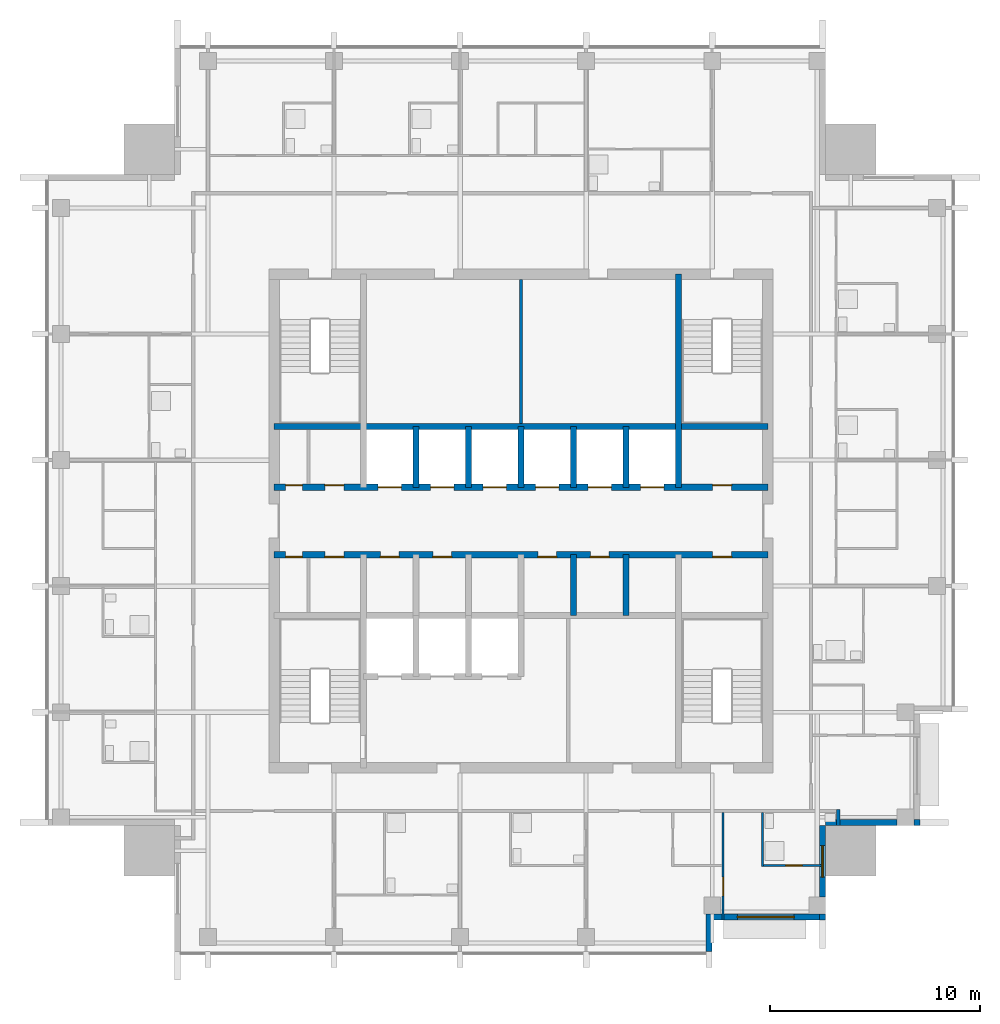
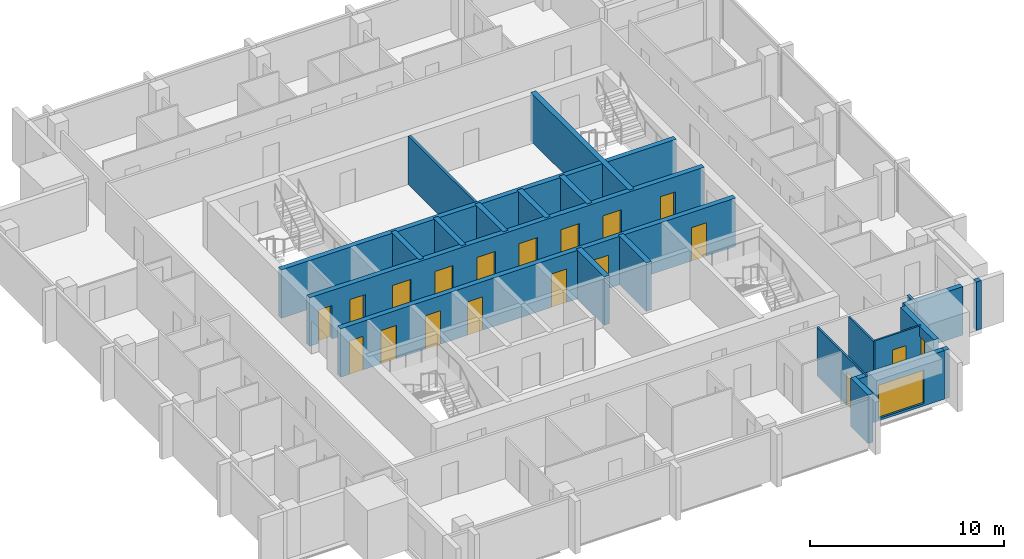
# One storey, part 5 of 10: 22 walls, 18 doors, 2 windows, 20 openings.
"""IFC4 building model written with IfcOpenShell, lengths in metres."""

from ifc_helpers import new_model, si_unit, direction, frame, frame_2d, origin, place, context, subcontext, project, spatial, rectangle, extrude, material, layer, layer_set, type_object, element, fill, save


model = new_model("IFC4")

# Units and contexts
model_context = context("Model", 3, precision=1e-05, world=origin(), true_north=direction((0.0, 1.0)))
body_context = subcontext(model_context, "Body", "Model", "MODEL_VIEW")
ifc_project = project(units=[si_unit("LENGTHUNIT", "METRE"), si_unit("AREAUNIT", "SQUARE_METRE"), si_unit("VOLUMEUNIT", "CUBIC_METRE"), si_unit("PLANEANGLEUNIT", "RADIAN"), si_unit("MASSUNIT", "GRAM", prefix="KILO")], contexts=[model_context])

# Site, building, storey
site_placement = place(None, origin())
site = spatial("IfcSite", under=ifc_project, at=site_placement, CompositionType="ELEMENT")
building_placement = place(site_placement, origin())
building = spatial("IfcBuilding", under=site, at=building_placement, Name="Amberfall Residences", CompositionType="ELEMENT")
storey_placement = place(building_placement, frame((0.0, 0.0, 275.199951171875)))
storey = spatial("IfcBuildingStorey", under=building, at=storey_placement, Name="L74", CompositionType="ELEMENT", Elevation=275.199951171875)

# Walls
ifc_material_1 = material(Name="Pale stone cladding on insulated backing", Category="masonry")
ifc_layer_1 = layer(ifc_material_1, 0.300048828125)
ifc_layer_set_1 = layer_set([ifc_layer_1], Name="Bronze clad wall 300")
wall_type_1 = type_object("IfcWallType", Name="Bronze clad wall 300", PredefinedType="SOLIDWALL", material=ifc_layer_set_1)
wall_1_placement = place(storey_placement, frame((83.449951171875, 25.0, 0.0), z_axis=(0.0, 0.0, 1.0), x_axis=(0.0, 1.0, 0.0)))
element("IfcWall", 1, at=wall_1_placement, inside=storey, type_object=wall_type_1, Name="External wall L74 S", PredefinedType="SOLIDWALL", context=body_context, shape_type="SweptSolid", body=[
    extrude(rectangle(XDim=1.800048828125, YDim=0.300048828125, at=frame_2d((0.89990234375, 0.0))), origin(), (0.0, 0.0, 1.0), 3.050048828125),
])
wall_2_placement = place(storey_placement, frame((88.85009765625, 26.5, 0.0), z_axis=(0.0, 0.0, 1.0), x_axis=(0.0, 1.0, 0.0)))
element("IfcWall", 2, at=wall_2_placement, inside=storey, type_object=wall_type_1, Name="External wall L74 SE", PredefinedType="SOLIDWALL", context=body_context, shape_type="SweptSolid", body=[
    extrude(rectangle(XDim=0.300048828125, YDim=0.300048828125, at=frame_2d((0.14990234375, 0.0))), origin(), (0.0, 0.0, 1.0), 3.050048828125),
])

# Wall, opening, window
wall_3_placement = place(storey_placement, frame((88.85009765625, 27.60009765625, 0.0), z_axis=(0.0, 0.0, 1.0), x_axis=(0.0, 1.0, 0.0)))
wall_3 = element("IfcWall", 3, at=wall_3_placement, inside=storey, type_object=wall_type_1, Name="External wall L74 SE", PredefinedType="SOLIDWALL", context=body_context, shape_type="SweptSolid", body=[
    extrude(rectangle(XDim=3.39990234375, YDim=0.300048828125, at=frame_2d((1.699951171875, 0.0))), origin(), (0.0, 0.0, 1.0), 3.050048828125),
])
opening_1_placement = place(wall_3_placement, frame((0.949951171875, 0.0, 0.89990234375)))
opening_1 = element("IfcOpeningElement", 4, at=opening_1_placement, cuts=wall_3, Name="Opening WN1", PredefinedType="OPENING", context=body_context, shape_type="SweptSolid", body=[
    extrude(rectangle(XDim=1.5, YDim=1.5, at=frame_2d((0.75, 0.75))), frame((0.0, 0.159912109375, 0.0), z_axis=(0.0, -1.0, 0.0), x_axis=(1.0, 0.0, 0.0)), (0.0, 0.0, 1.0), 0.320068359375),
])
ifc_material_2 = material(Name="Bronze aluminium framed glazing", Category="aluminium")
window_type_1 = type_object("IfcWindowType", Name="Window 1500 x 1500 bronze", PartitioningType="DOUBLE_PANEL_VERTICAL", PredefinedType="WINDOW", material=ifc_material_2)
window_1_placement = place(opening_1_placement, origin())
window_1 = element("IfcWindow", 5, at=window_1_placement, inside=storey, type_object=window_type_1, Name="Window L74 SE", OverallHeight=1.5, OverallWidth=1.5, PartitioningType="DOUBLE_PANEL_VERTICAL", PredefinedType="WINDOW", context=body_context, shape_type="SweptSolid", body=[
    extrude(rectangle(XDim=1.5, YDim=1.5, at=frame_2d((0.75, 0.75))), frame((0.0, 0.030029296875, 0.0), z_axis=(0.0, -1.0, 0.0), x_axis=(1.0, 0.0, 0.0)), (0.0, 0.0, 1.0), 0.06005859375),
])
fill(opening_1, window_1)

# Walls
wall_4_placement = place(storey_placement, frame((89.0, 31.14990234375, 0.0), z_axis=(0.0, 0.0, 1.0), x_axis=(1.0, 0.0, 0.0)))
element("IfcWall", 6, at=wall_4_placement, inside=storey, type_object=wall_type_1, Name="External wall L74 SE", PredefinedType="SOLIDWALL", context=body_context, shape_type="SweptSolid", body=[
    extrude(rectangle(XDim=3.39990234375, YDim=0.300048828125, at=frame_2d((1.699951171875, 0.0))), origin(), (0.0, 0.0, 1.0), 3.050048828125),
])
wall_5_placement = place(storey_placement, frame((93.199951171875, 31.14990234375, 0.0), z_axis=(0.0, 0.0, 1.0), x_axis=(1.0, 0.0, 0.0)))
element("IfcWall", 7, at=wall_5_placement, inside=storey, type_object=wall_type_1, Name="External wall L74 SE", PredefinedType="SOLIDWALL", context=body_context, shape_type="SweptSolid", body=[
    extrude(rectangle(XDim=0.300048828125, YDim=0.300048828125, at=frame_2d((0.14990234375, 0.0))), origin(), (0.0, 0.0, 1.0), 3.050048828125),
])

# Wall, opening, window
wall_6_placement = place(storey_placement, frame((83.60009765625, 26.64990234375, 0.0), z_axis=(0.0, 0.0, 1.0), x_axis=(1.0, 0.0, 0.0)))
wall_6 = element("IfcWall", 8, at=wall_6_placement, inside=storey, type_object=wall_type_1, Name="Stone wall L74 S", PredefinedType="SOLIDWALL", context=body_context, shape_type="SweptSolid", body=[
    extrude(rectangle(XDim=5.099853515625, YDim=0.300048828125, at=frame_2d((2.5498046875, 0.0))), origin(), (0.0, 0.0, 1.0), 3.050048828125),
])
opening_2_placement = place(wall_6_placement, frame((1.199951171875, 0.0, 0.14990234375)))
opening_2 = element("IfcOpeningElement", 9, at=opening_2_placement, cuts=wall_6, Name="Opening WN4", PredefinedType="OPENING", context=body_context, shape_type="SweptSolid", body=[
    extrude(rectangle(XDim=2.699951171875, YDim=2.10009765625, at=frame_2d((1.35009765625, 1.050048828125))), frame((0.0, 0.159912109375, 0.0), z_axis=(0.0, -1.0, 0.0), x_axis=(1.0, 0.0, 0.0)), (0.0, 0.0, 1.0), 0.320068359375),
])
window_type_2 = type_object("IfcWindowType", Name="Glazed opening 2700 x 2100 bronze", PartitioningType="DOUBLE_PANEL_VERTICAL", PredefinedType="WINDOW", material=ifc_material_2)
window_2_placement = place(opening_2_placement, origin())
window_2 = element("IfcWindow", 10, at=window_2_placement, inside=storey, type_object=window_type_2, Name="Window L74 S", OverallHeight=2.10009765625, OverallWidth=2.699951171875, PartitioningType="DOUBLE_PANEL_VERTICAL", PredefinedType="WINDOW", context=body_context, shape_type="SweptSolid", body=[
    extrude(rectangle(XDim=2.699951171875, YDim=2.10009765625, at=frame_2d((1.35009765625, 1.050048828125))), frame((0.0, 0.030029296875, 0.0), z_axis=(0.0, -1.0, 0.0), x_axis=(1.0, 0.0, 0.0)), (0.0, 0.0, 1.0), 0.06005859375),
])
fill(opening_2, window_2)

# Wall, openings, doors
ifc_material_3 = material(Name="Concrete C50", Category="concrete")
ifc_layer_2 = layer(ifc_material_3, 0.300048828125)
ifc_layer_set_2 = layer_set([ifc_layer_2], Name="Core wall 300 C50")
wall_type_2 = type_object("IfcWallType", Name="Core wall 300 C50", PredefinedType="SHEAR", material=ifc_layer_set_2)
wall_7_placement = place(storey_placement, frame((62.75, 43.89990234375, 0.0), z_axis=(0.0, 0.0, 1.0), x_axis=(1.0, 0.0, 0.0)))
wall_7 = element("IfcWall", 11, at=wall_7_placement, inside=storey, type_object=wall_type_2, Name="Core wall RW10 L74 H104", PredefinedType="SHEAR", context=body_context, shape_type="SweptSolid", body=[
    extrude(rectangle(XDim=23.5, YDim=0.300048828125, at=frame_2d((11.75, 0.0))), origin(), (0.0, 0.0, 1.0), 3.050048828125),
])
opening_3_placement = place(wall_7_placement, frame((0.54296875, 0.0, 0.0)))
opening_3 = element("IfcOpeningElement", 12, at=opening_3_placement, cuts=wall_7, Name="Opening RD2", PredefinedType="OPENING", context=body_context, shape_type="SweptSolid", body=[
    extrude(rectangle(XDim=0.800048828125, YDim=2.10009765625, at=frame_2d((0.39990234375, 1.050048828125))), frame((0.0, 0.159912109375, 0.0), z_axis=(0.0, -1.0, 0.0), x_axis=(1.0, 0.0, 0.0)), (0.0, 0.0, 1.0), 0.320068359375),
])
opening_4_placement = place(wall_7_placement, frame((2.41796875, 0.0, 0.0)))
opening_4 = element("IfcOpeningElement", 13, at=opening_4_placement, cuts=wall_7, Name="Opening RD1", PredefinedType="OPENING", context=body_context, shape_type="SweptSolid", body=[
    extrude(rectangle(XDim=0.89990234375, YDim=2.10009765625, at=frame_2d((0.449951171875, 1.050048828125))), frame((0.0, 0.159912109375, 0.0), z_axis=(0.0, -1.0, 0.0), x_axis=(1.0, 0.0, 0.0)), (0.0, 0.0, 1.0), 0.320068359375),
])
opening_5_placement = place(wall_7_placement, frame((20.875, 0.0, 0.0)))
opening_5 = element("IfcOpeningElement", 14, at=opening_5_placement, cuts=wall_7, Name="Opening RD1", PredefinedType="OPENING", context=body_context, shape_type="SweptSolid", body=[
    extrude(rectangle(XDim=0.89990234375, YDim=2.10009765625, at=frame_2d((0.449951171875, 1.050048828125))), frame((0.0, 0.159912109375, 0.0), z_axis=(0.0, -1.0, 0.0), x_axis=(1.0, 0.0, 0.0)), (0.0, 0.0, 1.0), 0.320068359375),
])
opening_6_placement = place(wall_7_placement, frame((5.050048828125, 0.0, 0.0)))
opening_6 = element("IfcOpeningElement", 15, at=opening_6_placement, cuts=wall_7, Name="Opening RD1", PredefinedType="OPENING", context=body_context, shape_type="SweptSolid", body=[
    extrude(rectangle(XDim=0.89990234375, YDim=2.10009765625, at=frame_2d((0.449951171875, 1.050048828125))), frame((0.0, 0.159912109375, 0.0), z_axis=(0.0, -1.0, 0.0), x_axis=(1.0, 0.0, 0.0)), (0.0, 0.0, 1.0), 0.320068359375),
])
opening_7_placement = place(wall_7_placement, frame((7.550048828125, 0.0, 0.0)))
opening_7 = element("IfcOpeningElement", 16, at=opening_7_placement, cuts=wall_7, Name="Opening RD1", PredefinedType="OPENING", context=body_context, shape_type="SweptSolid", body=[
    extrude(rectangle(XDim=0.89990234375, YDim=2.10009765625, at=frame_2d((0.449951171875, 1.050048828125))), frame((0.0, 0.159912109375, 0.0), z_axis=(0.0, -1.0, 0.0), x_axis=(1.0, 0.0, 0.0)), (0.0, 0.0, 1.0), 0.320068359375),
])
opening_8_placement = place(wall_7_placement, frame((12.550048828125, 0.0, 0.0)))
opening_8 = element("IfcOpeningElement", 17, at=opening_8_placement, cuts=wall_7, Name="Opening RD1", PredefinedType="OPENING", context=body_context, shape_type="SweptSolid", body=[
    extrude(rectangle(XDim=0.89990234375, YDim=2.10009765625, at=frame_2d((0.449951171875, 1.050048828125))), frame((0.0, 0.159912109375, 0.0), z_axis=(0.0, -1.0, 0.0), x_axis=(1.0, 0.0, 0.0)), (0.0, 0.0, 1.0), 0.320068359375),
])
opening_9_placement = place(wall_7_placement, frame((15.050048828125, 0.0, 0.0)))
opening_9 = element("IfcOpeningElement", 18, at=opening_9_placement, cuts=wall_7, Name="Opening RD1", PredefinedType="OPENING", context=body_context, shape_type="SweptSolid", body=[
    extrude(rectangle(XDim=0.89990234375, YDim=2.10009765625, at=frame_2d((0.449951171875, 1.050048828125))), frame((0.0, 0.159912109375, 0.0), z_axis=(0.0, -1.0, 0.0), x_axis=(1.0, 0.0, 0.0)), (0.0, 0.0, 1.0), 0.320068359375),
])
ifc_material_4 = material(Name="Steel fire door set", Category="steel")
door_type_1 = type_object("IfcDoorType", Name="Service room door 800 x 2100", OperationType="SINGLE_SWING_LEFT", PredefinedType="DOOR", material=ifc_material_4)
door_1_placement = place(opening_3_placement, origin())
door_1 = element("IfcDoor", 19, at=door_1_placement, inside=storey, type_object=door_type_1, Name="RD2 L74", OperationType="SINGLE_SWING_LEFT", OverallHeight=2.10009765625, OverallWidth=0.800048828125, PredefinedType="DOOR", context=body_context, shape_type="SweptSolid", body=[
    extrude(rectangle(XDim=0.800048828125, YDim=2.10009765625, at=frame_2d((0.39990234375, 1.050048828125))), frame((0.0, -0.08740234375, 0.0), z_axis=(0.0, -1.0, 0.0), x_axis=(1.0, 0.0, 0.0)), (0.0, 0.0, 1.0), 0.050048828125),
])
fill(opening_3, door_1)
door_type_2 = type_object("IfcDoorType", Name="Service room door 900 x 2100", OperationType="SINGLE_SWING_LEFT", PredefinedType="DOOR", material=ifc_material_4)
door_2_placement = place(opening_4_placement, origin())
door_2 = element("IfcDoor", 20, at=door_2_placement, inside=storey, type_object=door_type_2, Name="RD1 L74", OperationType="SINGLE_SWING_RIGHT", OverallHeight=2.10009765625, OverallWidth=0.89990234375, PredefinedType="DOOR", context=body_context, shape_type="SweptSolid", body=[
    extrude(rectangle(XDim=0.89990234375, YDim=2.10009765625, at=frame_2d((0.449951171875, 1.050048828125))), frame((0.0, -0.08740234375, 0.0), z_axis=(0.0, -1.0, 0.0), x_axis=(1.0, 0.0, 0.0)), (0.0, 0.0, 1.0), 0.050048828125),
])
fill(opening_4, door_2)
door_3_placement = place(opening_5_placement, origin())
door_3 = element("IfcDoor", 21, at=door_3_placement, inside=storey, type_object=door_type_2, Name="RD1 L74", OperationType="SINGLE_SWING_LEFT", OverallHeight=2.10009765625, OverallWidth=0.89990234375, PredefinedType="DOOR", context=body_context, shape_type="SweptSolid", body=[
    extrude(rectangle(XDim=0.89990234375, YDim=2.10009765625, at=frame_2d((0.449951171875, 1.050048828125))), frame((0.0, -0.08740234375, 0.0), z_axis=(0.0, -1.0, 0.0), x_axis=(1.0, 0.0, 0.0)), (0.0, 0.0, 1.0), 0.050048828125),
])
fill(opening_5, door_3)
door_4_placement = place(opening_6_placement, origin())
door_4 = element("IfcDoor", 22, at=door_4_placement, inside=storey, type_object=door_type_2, Name="RD1 L74", OperationType="SINGLE_SWING_RIGHT", OverallHeight=2.10009765625, OverallWidth=0.89990234375, PredefinedType="DOOR", context=body_context, shape_type="SweptSolid", body=[
    extrude(rectangle(XDim=0.89990234375, YDim=2.10009765625, at=frame_2d((0.449951171875, 1.050048828125))), frame((0.0, -0.08740234375, 0.0), z_axis=(0.0, -1.0, 0.0), x_axis=(1.0, 0.0, 0.0)), (0.0, 0.0, 1.0), 0.050048828125),
])
fill(opening_6, door_4)
door_5_placement = place(opening_7_placement, origin())
door_5 = element("IfcDoor", 23, at=door_5_placement, inside=storey, type_object=door_type_2, Name="RD1 L74", OperationType="SINGLE_SWING_LEFT", OverallHeight=2.10009765625, OverallWidth=0.89990234375, PredefinedType="DOOR", context=body_context, shape_type="SweptSolid", body=[
    extrude(rectangle(XDim=0.89990234375, YDim=2.10009765625, at=frame_2d((0.449951171875, 1.050048828125))), frame((0.0, -0.08740234375, 0.0), z_axis=(0.0, -1.0, 0.0), x_axis=(1.0, 0.0, 0.0)), (0.0, 0.0, 1.0), 0.050048828125),
])
fill(opening_7, door_5)
door_6_placement = place(opening_8_placement, origin())
door_6 = element("IfcDoor", 24, at=door_6_placement, inside=storey, type_object=door_type_2, Name="RD1 L74", OperationType="SINGLE_SWING_LEFT", OverallHeight=2.10009765625, OverallWidth=0.89990234375, PredefinedType="DOOR", context=body_context, shape_type="SweptSolid", body=[
    extrude(rectangle(XDim=0.89990234375, YDim=2.10009765625, at=frame_2d((0.449951171875, 1.050048828125))), frame((0.0, -0.08740234375, 0.0), z_axis=(0.0, -1.0, 0.0), x_axis=(1.0, 0.0, 0.0)), (0.0, 0.0, 1.0), 0.050048828125),
])
fill(opening_8, door_6)
door_7_placement = place(opening_9_placement, origin())
door_7 = element("IfcDoor", 25, at=door_7_placement, inside=storey, type_object=door_type_2, Name="RD1 L74", OperationType="SINGLE_SWING_RIGHT", OverallHeight=2.10009765625, OverallWidth=0.89990234375, PredefinedType="DOOR", context=body_context, shape_type="SweptSolid", body=[
    extrude(rectangle(XDim=0.89990234375, YDim=2.10009765625, at=frame_2d((0.449951171875, 1.050048828125))), frame((0.0, -0.08740234375, 0.0), z_axis=(0.0, -1.0, 0.0), x_axis=(1.0, 0.0, 0.0)), (0.0, 0.0, 1.0), 0.050048828125),
])
fill(opening_9, door_7)

wall_8_placement = place(storey_placement, frame((62.75, 47.10009765625, 0.0), z_axis=(0.0, 0.0, 1.0), x_axis=(1.0, 0.0, 0.0)))
wall_8 = element("IfcWall", 26, at=wall_8_placement, inside=storey, type_object=wall_type_2, Name="Core wall RW10 L74 H136", PredefinedType="SHEAR", context=body_context, shape_type="SweptSolid", body=[
    extrude(rectangle(XDim=23.5, YDim=0.300048828125, at=frame_2d((11.75, 0.0))), origin(), (0.0, 0.0, 1.0), 3.050048828125),
])
opening_10_placement = place(wall_8_placement, frame((0.54296875, 0.0, 0.0)))
opening_10 = element("IfcOpeningElement", 27, at=opening_10_placement, cuts=wall_8, Name="Opening RD2", PredefinedType="OPENING", context=body_context, shape_type="SweptSolid", body=[
    extrude(rectangle(XDim=0.800048828125, YDim=2.10009765625, at=frame_2d((0.39990234375, 1.050048828125))), frame((0.0, 0.159912109375, 0.0), z_axis=(0.0, -1.0, 0.0), x_axis=(1.0, 0.0, 0.0)), (0.0, 0.0, 1.0), 0.320068359375),
])
opening_11_placement = place(wall_8_placement, frame((2.41796875, 0.0, 0.0)))
opening_11 = element("IfcOpeningElement", 28, at=opening_11_placement, cuts=wall_8, Name="Opening RD1", PredefinedType="OPENING", context=body_context, shape_type="SweptSolid", body=[
    extrude(rectangle(XDim=0.89990234375, YDim=2.10009765625, at=frame_2d((0.449951171875, 1.050048828125))), frame((0.0, 0.159912109375, 0.0), z_axis=(0.0, -1.0, 0.0), x_axis=(1.0, 0.0, 0.0)), (0.0, 0.0, 1.0), 0.320068359375),
])
opening_12_placement = place(wall_8_placement, frame((20.875, 0.0, 0.0)))
opening_12 = element("IfcOpeningElement", 29, at=opening_12_placement, cuts=wall_8, Name="Opening RD1", PredefinedType="OPENING", context=body_context, shape_type="SweptSolid", body=[
    extrude(rectangle(XDim=0.89990234375, YDim=2.10009765625, at=frame_2d((0.449951171875, 1.050048828125))), frame((0.0, 0.159912109375, 0.0), z_axis=(0.0, -1.0, 0.0), x_axis=(1.0, 0.0, 0.0)), (0.0, 0.0, 1.0), 0.320068359375),
])
opening_13_placement = place(wall_8_placement, frame((4.949951171875, 0.0, 0.0)))
opening_13 = element("IfcOpeningElement", 30, at=opening_13_placement, cuts=wall_8, Name="Opening LD1", PredefinedType="OPENING", context=body_context, shape_type="SweptSolid", body=[
    extrude(rectangle(XDim=1.10009765625, YDim=2.10009765625, at=frame_2d((0.550048828125, 1.050048828125))), frame((0.0, 0.159912109375, 0.0), z_axis=(0.0, -1.0, 0.0), x_axis=(1.0, 0.0, 0.0)), (0.0, 0.0, 1.0), 0.320068359375),
])
opening_14_placement = place(wall_8_placement, frame((7.449951171875, 0.0, 0.0)))
opening_14 = element("IfcOpeningElement", 31, at=opening_14_placement, cuts=wall_8, Name="Opening LD1", PredefinedType="OPENING", context=body_context, shape_type="SweptSolid", body=[
    extrude(rectangle(XDim=1.10009765625, YDim=2.10009765625, at=frame_2d((0.550048828125, 1.050048828125))), frame((0.0, 0.159912109375, 0.0), z_axis=(0.0, -1.0, 0.0), x_axis=(1.0, 0.0, 0.0)), (0.0, 0.0, 1.0), 0.320068359375),
])
opening_15_placement = place(wall_8_placement, frame((9.949951171875, 0.0, 0.0)))
opening_15 = element("IfcOpeningElement", 32, at=opening_15_placement, cuts=wall_8, Name="Opening LD1", PredefinedType="OPENING", context=body_context, shape_type="SweptSolid", body=[
    extrude(rectangle(XDim=1.10009765625, YDim=2.10009765625, at=frame_2d((0.550048828125, 1.050048828125))), frame((0.0, 0.159912109375, 0.0), z_axis=(0.0, -1.0, 0.0), x_axis=(1.0, 0.0, 0.0)), (0.0, 0.0, 1.0), 0.320068359375),
])
opening_16_placement = place(wall_8_placement, frame((12.449951171875, 0.0, 0.0)))
opening_16 = element("IfcOpeningElement", 33, at=opening_16_placement, cuts=wall_8, Name="Opening LD1", PredefinedType="OPENING", context=body_context, shape_type="SweptSolid", body=[
    extrude(rectangle(XDim=1.10009765625, YDim=2.10009765625, at=frame_2d((0.550048828125, 1.050048828125))), frame((0.0, 0.159912109375, 0.0), z_axis=(0.0, -1.0, 0.0), x_axis=(1.0, 0.0, 0.0)), (0.0, 0.0, 1.0), 0.320068359375),
])
opening_17_placement = place(wall_8_placement, frame((14.949951171875, 0.0, 0.0)))
opening_17 = element("IfcOpeningElement", 34, at=opening_17_placement, cuts=wall_8, Name="Opening LD1", PredefinedType="OPENING", context=body_context, shape_type="SweptSolid", body=[
    extrude(rectangle(XDim=1.10009765625, YDim=2.10009765625, at=frame_2d((0.550048828125, 1.050048828125))), frame((0.0, 0.159912109375, 0.0), z_axis=(0.0, -1.0, 0.0), x_axis=(1.0, 0.0, 0.0)), (0.0, 0.0, 1.0), 0.320068359375),
])
opening_18_placement = place(wall_8_placement, frame((17.449951171875, 0.0, 0.0)))
opening_18 = element("IfcOpeningElement", 35, at=opening_18_placement, cuts=wall_8, Name="Opening LD1", PredefinedType="OPENING", context=body_context, shape_type="SweptSolid", body=[
    extrude(rectangle(XDim=1.10009765625, YDim=2.10009765625, at=frame_2d((0.550048828125, 1.050048828125))), frame((0.0, 0.159912109375, 0.0), z_axis=(0.0, -1.0, 0.0), x_axis=(1.0, 0.0, 0.0)), (0.0, 0.0, 1.0), 0.320068359375),
])
door_type_3 = type_object("IfcDoorType", Name="Lift landing door 1100 x 2100", OperationType="DOUBLE_DOOR_SLIDING", PredefinedType="DOOR", material=ifc_material_4)
door_8_placement = place(opening_13_placement, origin())
door_8 = element("IfcDoor", 36, at=door_8_placement, inside=storey, type_object=door_type_3, Name="Landing door HP1 L74", OperationType="DOUBLE_DOOR_SLIDING", OverallHeight=2.10009765625, OverallWidth=1.10009765625, PredefinedType="DOOR", context=body_context, shape_type="SweptSolid", body=[
    extrude(rectangle(XDim=1.10009765625, YDim=2.10009765625, at=frame_2d((0.550048828125, 1.050048828125))), frame((0.0, 0.02490234375, 0.0), z_axis=(0.0, -1.0, 0.0), x_axis=(1.0, 0.0, 0.0)), (0.0, 0.0, 1.0), 0.050048828125),
])
fill(opening_13, door_8)
door_9_placement = place(opening_14_placement, origin())
door_9 = element("IfcDoor", 37, at=door_9_placement, inside=storey, type_object=door_type_3, Name="Landing door HP2 L74", OperationType="DOUBLE_DOOR_SLIDING", OverallHeight=2.10009765625, OverallWidth=1.10009765625, PredefinedType="DOOR", context=body_context, shape_type="SweptSolid", body=[
    extrude(rectangle(XDim=1.10009765625, YDim=2.10009765625, at=frame_2d((0.550048828125, 1.050048828125))), frame((0.0, 0.02490234375, 0.0), z_axis=(0.0, -1.0, 0.0), x_axis=(1.0, 0.0, 0.0)), (0.0, 0.0, 1.0), 0.050048828125),
])
fill(opening_14, door_9)
door_10_placement = place(opening_15_placement, origin())
door_10 = element("IfcDoor", 38, at=door_10_placement, inside=storey, type_object=door_type_3, Name="Landing door HP3 L74", OperationType="DOUBLE_DOOR_SLIDING", OverallHeight=2.10009765625, OverallWidth=1.10009765625, PredefinedType="DOOR", context=body_context, shape_type="SweptSolid", body=[
    extrude(rectangle(XDim=1.10009765625, YDim=2.10009765625, at=frame_2d((0.550048828125, 1.050048828125))), frame((0.0, 0.02490234375, 0.0), z_axis=(0.0, -1.0, 0.0), x_axis=(1.0, 0.0, 0.0)), (0.0, 0.0, 1.0), 0.050048828125),
])
fill(opening_15, door_10)
door_11_placement = place(opening_16_placement, origin())
door_11 = element("IfcDoor", 39, at=door_11_placement, inside=storey, type_object=door_type_3, Name="Landing door HP4 L74", OperationType="DOUBLE_DOOR_SLIDING", OverallHeight=2.10009765625, OverallWidth=1.10009765625, PredefinedType="DOOR", context=body_context, shape_type="SweptSolid", body=[
    extrude(rectangle(XDim=1.10009765625, YDim=2.10009765625, at=frame_2d((0.550048828125, 1.050048828125))), frame((0.0, 0.02490234375, 0.0), z_axis=(0.0, -1.0, 0.0), x_axis=(1.0, 0.0, 0.0)), (0.0, 0.0, 1.0), 0.050048828125),
])
fill(opening_16, door_11)
door_12_placement = place(opening_17_placement, origin())
door_12 = element("IfcDoor", 40, at=door_12_placement, inside=storey, type_object=door_type_3, Name="Landing door HP5 L74", OperationType="DOUBLE_DOOR_SLIDING", OverallHeight=2.10009765625, OverallWidth=1.10009765625, PredefinedType="DOOR", context=body_context, shape_type="SweptSolid", body=[
    extrude(rectangle(XDim=1.10009765625, YDim=2.10009765625, at=frame_2d((0.550048828125, 1.050048828125))), frame((0.0, 0.02490234375, 0.0), z_axis=(0.0, -1.0, 0.0), x_axis=(1.0, 0.0, 0.0)), (0.0, 0.0, 1.0), 0.050048828125),
])
fill(opening_17, door_12)
door_13_placement = place(opening_18_placement, origin())
door_13 = element("IfcDoor", 41, at=door_13_placement, inside=storey, type_object=door_type_3, Name="Landing door HP6 L74", OperationType="DOUBLE_DOOR_SLIDING", OverallHeight=2.10009765625, OverallWidth=1.10009765625, PredefinedType="DOOR", context=body_context, shape_type="SweptSolid", body=[
    extrude(rectangle(XDim=1.10009765625, YDim=2.10009765625, at=frame_2d((0.550048828125, 1.050048828125))), frame((0.0, 0.02490234375, 0.0), z_axis=(0.0, -1.0, 0.0), x_axis=(1.0, 0.0, 0.0)), (0.0, 0.0, 1.0), 0.050048828125),
])
fill(opening_18, door_13)
door_14_placement = place(opening_10_placement, origin())
door_14 = element("IfcDoor", 42, at=door_14_placement, inside=storey, type_object=door_type_1, Name="RD2 L74", OperationType="SINGLE_SWING_LEFT", OverallHeight=2.10009765625, OverallWidth=0.800048828125, PredefinedType="DOOR", context=body_context, shape_type="SweptSolid", body=[
    extrude(rectangle(XDim=0.800048828125, YDim=2.10009765625, at=frame_2d((0.39990234375, 1.050048828125))), frame((0.0, 0.1376953125, 0.0), z_axis=(0.0, -1.0, 0.0), x_axis=(1.0, 0.0, 0.0)), (0.0, 0.0, 1.0), 0.050048828125),
])
fill(opening_10, door_14)
door_15_placement = place(opening_11_placement, origin())
door_15 = element("IfcDoor", 43, at=door_15_placement, inside=storey, type_object=door_type_2, Name="RD1 L74", OperationType="SINGLE_SWING_RIGHT", OverallHeight=2.10009765625, OverallWidth=0.89990234375, PredefinedType="DOOR", context=body_context, shape_type="SweptSolid", body=[
    extrude(rectangle(XDim=0.89990234375, YDim=2.10009765625, at=frame_2d((0.449951171875, 1.050048828125))), frame((0.0, 0.1376953125, 0.0), z_axis=(0.0, -1.0, 0.0), x_axis=(1.0, 0.0, 0.0)), (0.0, 0.0, 1.0), 0.050048828125),
])
fill(opening_11, door_15)
door_16_placement = place(opening_12_placement, origin())
door_16 = element("IfcDoor", 44, at=door_16_placement, inside=storey, type_object=door_type_2, Name="RD1 L74", OperationType="SINGLE_SWING_LEFT", OverallHeight=2.10009765625, OverallWidth=0.89990234375, PredefinedType="DOOR", context=body_context, shape_type="SweptSolid", body=[
    extrude(rectangle(XDim=0.89990234375, YDim=2.10009765625, at=frame_2d((0.449951171875, 1.050048828125))), frame((0.0, 0.1376953125, 0.0), z_axis=(0.0, -1.0, 0.0), x_axis=(1.0, 0.0, 0.0)), (0.0, 0.0, 1.0), 0.050048828125),
])
fill(opening_12, door_16)

# Walls
wall_9_placement = place(storey_placement, frame((62.75, 50.0, 0.0), z_axis=(0.0, 0.0, 1.0), x_axis=(1.0, 0.0, 0.0)))
element("IfcWall", 45, at=wall_9_placement, inside=storey, type_object=wall_type_2, Name="Core wall RW10 L74 H165", PredefinedType="SHEAR", context=body_context, shape_type="SweptSolid", body=[
    extrude(rectangle(XDim=23.5, YDim=0.300048828125, at=frame_2d((11.75, 0.0))), origin(), (0.0, 0.0, 1.0), 3.050048828125),
])
wall_10_placement = place(storey_placement, frame((82.0, 47.10009765625, 0.0), z_axis=(0.0, 0.0, 1.0), x_axis=(0.0, 1.0, 0.0)))
element("IfcWall", 46, at=wall_10_placement, inside=storey, type_object=wall_type_2, Name="Core wall RW10 L74 V195N", PredefinedType="SHEAR", context=body_context, shape_type="SweptSolid", body=[
    extrude(rectangle(XDim=10.14990234375, YDim=0.300048828125, at=frame_2d((5.074951171875, 0.0))), origin(), (0.0, 0.0, 1.0), 3.050048828125),
])
for number, where, z_axis, x_axis, name in (
    (47, (69.5, 47.10009765625, 0.0), (0.0, 0.0, 1.0), (0.0, 1.0, 0.0), "Core wall RW10 L74 HPD1"),
    (48, (72.0, 47.10009765625, 0.0), (0.0, 0.0, 1.0), (0.0, 1.0, 0.0), "Core wall RW10 L74 HPD2"),
    (49, (74.5, 47.10009765625, 0.0), (0.0, 0.0, 1.0), (0.0, 1.0, 0.0), "Core wall RW10 L74 HPD3"),
    (50, (77.0, 41.0, 0.0), (0.0, 0.0, 1.0), (0.0, 1.0, 0.0), "Core wall RW10 L74 LPD4"),
    (51, (77.0, 47.10009765625, 0.0), (0.0, 0.0, 1.0), (0.0, 1.0, 0.0), "Core wall RW10 L74 HPD4"),
    (52, (79.5, 41.0, 0.0), (0.0, 0.0, 1.0), (0.0, 1.0, 0.0), "Core wall RW10 L74 LPD5"),
    (53, (79.5, 47.10009765625, 0.0), (0.0, 0.0, 1.0), (0.0, 1.0, 0.0), "Core wall RW10 L74 HPD5"),
):
    element("IfcWall", number, at=place(storey_placement, frame(where, z_axis=z_axis, x_axis=x_axis)), inside=storey, type_object=wall_type_2, Name=name, PredefinedType="SHEAR", context=body_context, shape_type="SweptSolid", body=[
        extrude(rectangle(XDim=2.89990234375, YDim=0.300048828125, at=frame_2d((1.449951171875, 0.0))), origin(), (0.0, 0.0, 1.0), 3.050048828125),
    ])

# Wall, opening, door
ifc_material_5 = material(Name="Gypsum board on metal stud")
ifc_layer_3 = layer(ifc_material_5, 0.10009765625)
ifc_layer_set_3 = layer_set([ifc_layer_3], Name="Flat partition 100")
wall_type_3 = type_object("IfcWallType", Name="Flat partition 100", PredefinedType="PARTITIONING", material=ifc_layer_set_3)
wall_11_placement = place(storey_placement, frame((84.125, 31.625, 0.0), z_axis=(0.0, 0.0, 1.0), x_axis=(0.0, -1.0, 0.0)))
wall_11 = element("IfcWall", 54, at=wall_11_placement, inside=storey, type_object=wall_type_3, Name="Partition 019", PredefinedType="PARTITIONING", context=body_context, shape_type="SweptSolid", body=[
    extrude(rectangle(XDim=5.125, YDim=0.10009765625, at=frame_2d((2.5625, 0.0))), origin(), (0.0, 0.0, 1.0), 3.050048828125),
])
opening_19_placement = place(wall_11_placement, frame((3.074951171875, 0.0, 0.0)))
opening_19 = element("IfcOpeningElement", 55, at=opening_19_placement, cuts=wall_11, Name="Opening D41", PredefinedType="OPENING", context=body_context, shape_type="SweptSolid", body=[
    extrude(rectangle(XDim=0.89990234375, YDim=2.10009765625, at=frame_2d((0.449951171875, 1.050048828125))), frame((0.0, 0.06005859375, 0.0), z_axis=(0.0, -1.0, 0.0), x_axis=(1.0, 0.0, 0.0)), (0.0, 0.0, 1.0), 0.1201171875),
])
ifc_material_6 = material(Name="Timber", Category="wood")
door_type_4 = type_object("IfcDoorType", Name="Internal door 900 x 2100", OperationType="SINGLE_SWING_LEFT", PredefinedType="DOOR", material=ifc_material_6)
door_17_placement = place(opening_19_placement, origin())
door_17 = element("IfcDoor", 56, at=door_17_placement, inside=storey, type_object=door_type_4, Name="Door 7402 bedroom2", OperationType="SINGLE_SWING_LEFT", OverallHeight=2.10009765625, OverallWidth=0.89990234375, PredefinedType="DOOR", context=body_context, shape_type="SweptSolid", body=[
    extrude(rectangle(XDim=0.89990234375, YDim=2.10009765625, at=frame_2d((0.449951171875, 1.050048828125))), frame((0.0, 0.02490234375, 0.0), z_axis=(0.0, -1.0, 0.0), x_axis=(1.0, 0.0, 0.0)), (0.0, 0.0, 1.0), 0.050048828125),
])
fill(opening_19, door_17)

# Wall
wall_12_placement = place(storey_placement, frame((86.0, 29.050048828125, 0.0), z_axis=(0.0, 0.0, 1.0), x_axis=(0.0, 1.0, 0.0)))
element("IfcWall", 57, at=wall_12_placement, inside=storey, type_object=wall_type_3, Name="Partition 020", PredefinedType="PARTITIONING", context=body_context, shape_type="SweptSolid", body=[
    extrude(rectangle(XDim=2.574951171875, YDim=0.10009765625, at=frame_2d((1.28759765625, 0.0))), origin(), (0.0, 0.0, 1.0), 3.050048828125),
])

# Wall, opening, door
wall_13_placement = place(storey_placement, frame((86.050048828125, 29.10009765625, 0.0), z_axis=(0.0, 0.0, 1.0), x_axis=(1.0, 0.0, 0.0)))
wall_13 = element("IfcWall", 58, at=wall_13_placement, inside=storey, type_object=wall_type_3, Name="Partition 051", PredefinedType="PARTITIONING", context=body_context, shape_type="SweptSolid", body=[
    extrude(rectangle(XDim=2.75, YDim=0.10009765625, at=frame_2d((1.375, 0.0))), origin(), (0.0, 0.0, 1.0), 3.050048828125),
])
opening_20_placement = place(wall_13_placement, frame((1.050048828125, 0.0, 0.0)))
opening_20 = element("IfcOpeningElement", 59, at=opening_20_placement, cuts=wall_13, Name="Opening D42", PredefinedType="OPENING", context=body_context, shape_type="SweptSolid", body=[
    extrude(rectangle(XDim=0.800048828125, YDim=2.10009765625, at=frame_2d((0.39990234375, 1.050048828125))), frame((0.0, 0.06005859375, 0.0), z_axis=(0.0, -1.0, 0.0), x_axis=(1.0, 0.0, 0.0)), (0.0, 0.0, 1.0), 0.1201171875),
])
door_type_5 = type_object("IfcDoorType", Name="Bathroom door 800 x 2100", OperationType="SINGLE_SWING_LEFT", PredefinedType="DOOR", material=ifc_material_6)
door_18_placement = place(opening_20_placement, origin())
door_18 = element("IfcDoor", 60, at=door_18_placement, inside=storey, type_object=door_type_5, Name="Door 7402 bath2", OperationType="SINGLE_SWING_LEFT", OverallHeight=2.10009765625, OverallWidth=0.800048828125, PredefinedType="DOOR", context=body_context, shape_type="SweptSolid", body=[
    extrude(rectangle(XDim=0.800048828125, YDim=2.10009765625, at=frame_2d((0.39990234375, 1.050048828125))), frame((0.0, 0.02490234375, 0.0), z_axis=(0.0, -1.0, 0.0), x_axis=(1.0, 0.0, 0.0)), (0.0, 0.0, 1.0), 0.050048828125),
])
fill(opening_20, door_18)

# Walls
ifc_material_7 = material(Name="Blockwork, plastered", Category="masonry")
ifc_layer_4 = layer(ifc_material_7, 0.14990234375)
ifc_layer_set_4 = layer_set([ifc_layer_4], Name="Flat separating wall 150")
wall_type_4 = type_object("IfcWallType", Name="Flat separating wall 150", PredefinedType="PARTITIONING", material=ifc_layer_set_4)
wall_14_placement = place(storey_placement, frame((89.60009765625, 31.0, 0.0), z_axis=(0.0, 0.0, 1.0), x_axis=(0.0, 1.0, 0.0)))
element("IfcWall", 61, at=wall_14_placement, inside=storey, type_object=wall_type_4, Name="Separating wall 058", PredefinedType="PARTITIONING", context=body_context, shape_type="SweptSolid", body=[
    extrude(rectangle(XDim=0.77490234375, YDim=0.14990234375, at=frame_2d((0.387451171875, 0.0))), origin(), (0.0, 0.0, 1.0), 3.050048828125),
])
ifc_material_8 = material(Name="Concrete blockwork", Category="masonry")
ifc_layer_5 = layer(ifc_material_8, 0.14990234375)
ifc_layer_set_5 = layer_set([ifc_layer_5], Name="Riser wall 150")
wall_type_5 = type_object("IfcWallType", Name="Riser wall 150", PredefinedType="PLUMBINGWALL", material=ifc_layer_set_5)
wall_15_placement = place(storey_placement, frame((74.5, 50.14990234375, 0.0), z_axis=(0.0, 0.0, 1.0), x_axis=(0.0, 1.0, 0.0)))
element("IfcWall", 62, at=wall_15_placement, inside=storey, type_object=wall_type_5, Name="L74 core wall N0", PredefinedType="PLUMBINGWALL", context=body_context, shape_type="SweptSolid", body=[
    extrude(rectangle(XDim=6.85009765625, YDim=0.14990234375, at=frame_2d((3.425048828125, 0.0))), origin(), (0.0, 0.0, 1.0), 3.050048828125),
])

save(model, "model.ifc")
